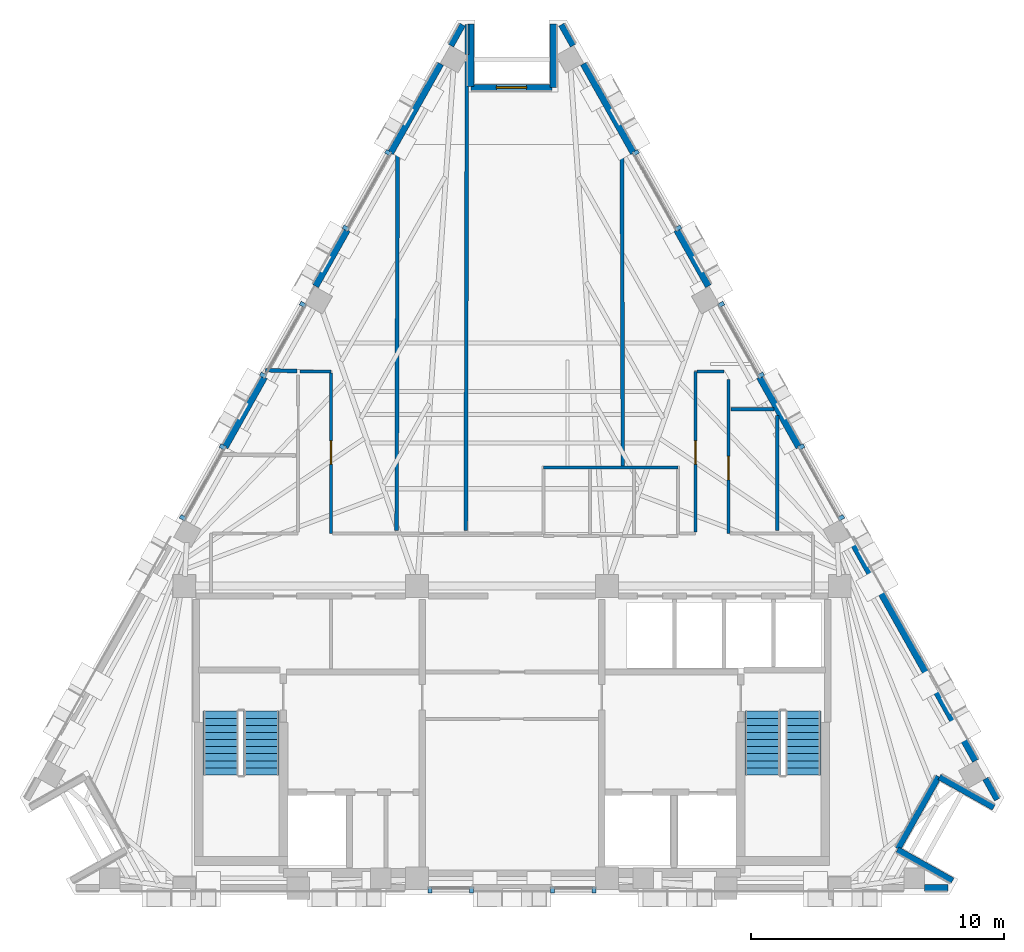
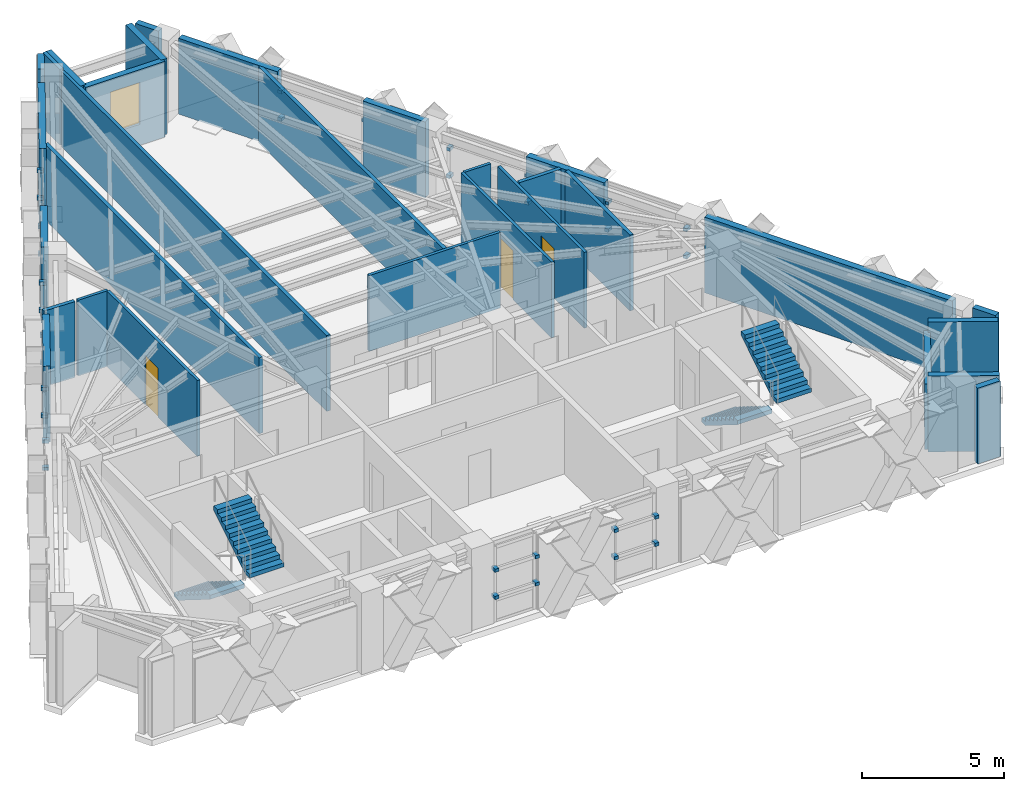
# One storey, part 8 of 10: 32 discrete accessories, 30 walls, 4 stair flights, 3 doors, 1 window, 4 openings, 2 elements without a shape of their own.
"""IFC4 building model written with IfcOpenShell, lengths in metres."""

import ifcopenshell
import ifcopenshell.guid

model = None  # the IFC model being written
_history = None  # IfcOwnerHistory: only IFC2X3 demands one
_inside = {}  # id of a spatial element -> (the spatial element, [elements in it])
_under = {}  # id of a project, library or spatial element -> (it, [spatial elements below it])
_declared = {}  # id of a project -> (the project, [libraries it declares])
_typed = {}  # id of a type object -> (the type object, [elements of that type])
_made_of = {}  # id of a material, layer set ... -> (it, [elements and type objects made of it])


def new_model(schema):
    """Start an empty IFC model of exactly this schema.

    Asked for "IFC4X3", IfcOpenShell would pick the latest addendum, in which some entities
    have other attributes; the version numbers below select the first issue.
    IFC2X3 requires an IfcOwnerHistory on every rooted entity: one is made here for all.
    """
    global model, _history
    if schema == "IFC4X3":
        model = ifcopenshell.file(schema_version=(4, 3, 0, 0))
    else:
        model = ifcopenshell.file(schema=schema)
    _inside.clear()
    _under.clear()
    _declared.clear()
    _typed.clear()
    _made_of.clear()
    _history = None
    if model.schema == "IFC2X3":
        org = make("IfcOrganization", Name="unknown")
        user = make(
            "IfcPersonAndOrganization",
            ThePerson=make("IfcPerson", FamilyName="unknown"),
            TheOrganization=org,
        )
        app = make(
            "IfcApplication",
            ApplicationDeveloper=org,
            Version="unknown",
            ApplicationFullName="unknown",
            ApplicationIdentifier="unknown",
        )
        _history = make(
            "IfcOwnerHistory",
            OwningUser=user,
            OwningApplication=app,
            ChangeAction="ADDED",
            CreationDate=0,
        )
    return model


def make(cls, **values):
    """One entity of the class cls with the attributes given. An attribute that is None is left unset."""
    return model.create_entity(
        cls, **{name: value for name, value in values.items() if value is not None}
    )


def rooted(cls, **values):
    """An entity with a GlobalId (a new one), such as an element, a storey or a relation."""
    return make(cls, GlobalId=ifcopenshell.guid.new(), OwnerHistory=_history, **values)


def si_unit(unit_type, name, prefix=None):
    """IfcSIUnit, for example si_unit("LENGTHUNIT", "METRE", prefix="MILLI")."""
    return make("IfcSIUnit", UnitType=unit_type, Prefix=prefix, Name=name)


def assignment(units):
    """IfcUnitAssignment: the units of a project."""
    return None if units is None else make("IfcUnitAssignment", Units=units)


def point(xyz):
    """IfcCartesianPoint."""
    return None if xyz is None else make("IfcCartesianPoint", Coordinates=xyz)


def direction(xyz):
    """IfcDirection."""
    return None if xyz is None else make("IfcDirection", DirectionRatios=xyz)


def frame(location, z_axis=None, x_axis=None):
    """IfcAxis2Placement3D, a coordinate frame: its origin and axes. An axis left out is left unset."""
    return make(
        "IfcAxis2Placement3D",
        Location=point(location),
        Axis=direction(z_axis),
        RefDirection=direction(x_axis),
    )


def frame_2d(location, x_axis=None):
    """IfcAxis2Placement2D, a coordinate frame in the plane: its origin and x axis."""
    return make(
        "IfcAxis2Placement2D", Location=point(location), RefDirection=direction(x_axis)
    )


def origin():
    """The frame at (0, 0, 0) with its axes left unset."""
    return frame((0.0, 0.0, 0.0))


def origin_2d():
    """The frame at (0, 0) in the plane with its x axis left unset."""
    return frame_2d((0.0, 0.0))


def place(relative_to, where):
    """IfcLocalPlacement: puts the frame where relative to a parent placement (None: the world)."""
    return make(
        "IfcLocalPlacement", PlacementRelTo=relative_to, RelativePlacement=where
    )


def context(
    kind, dimensions, precision=None, world=None, true_north=None, identifier=None
):
    """IfcGeometricRepresentationContext, for example the 3D "Model" context."""
    return make(
        "IfcGeometricRepresentationContext",
        ContextIdentifier=identifier,
        ContextType=kind,
        CoordinateSpaceDimension=dimensions,
        Precision=precision,
        WorldCoordinateSystem=world,
        TrueNorth=true_north,
    )


def subcontext(parent, identifier, kind, view, scale=None):
    """IfcGeometricRepresentationSubContext, for example "Body" below "Model"."""
    return make(
        "IfcGeometricRepresentationSubContext",
        ContextIdentifier=identifier,
        ContextType=kind,
        ParentContext=parent,
        TargetScale=scale,
        TargetView=view,
    )


def project(units=None, contexts=None):
    """IfcProject with its units and contexts."""
    return rooted(
        "IfcProject",
        Name="project",
        RepresentationContexts=contexts,
        UnitsInContext=assignment(units),
    )


def spatial(cls, under=None, at=None, **own):
    """A site, building, storey or space (cls), placed at a placement, below another one or the project."""
    s = rooted(cls, ObjectPlacement=at, **own)
    if under is not None:
        _under.setdefault(under.id(), (under, []))[1].append(s)
    return s


def polyline(points):
    """IfcPolyline through the points."""
    return make("IfcPolyline", Points=[point(p) for p in points])


def profile(cls, at=None, kind="AREA", **sizes):
    """A parametric profile (cls). Its sizes go by their IFC names, for example OverallWidth=200.0."""
    return make(cls, ProfileType=kind, Position=at, **sizes)


def rectangle(**sizes):
    """IfcRectangleProfileDef."""
    return profile("IfcRectangleProfileDef", **sizes)


def outline(outer, holes=None, kind="AREA"):
    """IfcArbitraryClosedProfileDef: a profile drawn as a closed curve; with holes, ...WithVoids."""
    if holes is None:
        return make("IfcArbitraryClosedProfileDef", ProfileType=kind, OuterCurve=outer)
    return make(
        "IfcArbitraryProfileDefWithVoids",
        ProfileType=kind,
        OuterCurve=outer,
        InnerCurves=holes,
    )


def extrude(swept, where, along, depth):
    """IfcExtrudedAreaSolid: the profile swept, set in the frame where, extruded along a direction by depth."""
    return make(
        "IfcExtrudedAreaSolid",
        SweptArea=swept,
        Position=where,
        ExtrudedDirection=direction(along),
        Depth=depth,
    )


def shape(context_of_items, identifier, shape_type, items):
    """IfcShapeRepresentation: the items that make up one representation, for example the "Body"."""
    return make(
        "IfcShapeRepresentation",
        ContextOfItems=context_of_items,
        RepresentationIdentifier=identifier,
        RepresentationType=shape_type,
        Items=items,
    )


def material(Name=None, Category=None):
    """IfcMaterial."""
    return make("IfcMaterial", Name=Name, Category=Category)


def layer(
    of_material, thickness, ventilated=None, Name=None, Category=None, Priority=None
):
    """IfcMaterialLayer: one layer of a wall or slab, of a material (None: an air gap)."""
    return make(
        "IfcMaterialLayer",
        Material=of_material,
        LayerThickness=thickness,
        IsVentilated=ventilated,
        Name=Name,
        Category=Category,
        Priority=Priority,
    )


def layer_set(layers, Name=None):
    """IfcMaterialLayerSet."""
    return make("IfcMaterialLayerSet", MaterialLayers=layers, LayerSetName=Name)


def made_of(thing, what):
    """Note that an element or type object is made of a material, layer set ...; save() writes the relation."""
    if what is not None:
        _made_of.setdefault(what.id(), (what, []))[1].append(thing)
    return thing


def type_object(cls, material=None, **own):
    """A type object (cls), such as IfcWallType, which elements share."""
    return made_of(rooted(cls, **own), material)


def element(
    cls,
    number,
    at=None,
    inside=None,
    cuts=None,
    type_object=None,
    material=None,
    context=None,
    identifier="Body",
    shape_type=None,
    held_by="IfcProductDefinitionShape",
    body=None,
    shapes=None,
    **own,
):
    """One element of the class cls, such as IfcWall. Its Tag is "e" and its number.

    at: its placement. inside: the storey or other place that contains it. cuts: it is an
    opening in that element (IfcRelVoidsElement). A single representation is given by context,
    identifier, shape_type and body (its items); several are given by shapes. held_by: the class
    of the entity that holds the representations. save() writes the other relations.
    """
    e = rooted(cls, Tag="e%d" % number, ObjectPlacement=at, **own)
    if body is not None:
        shapes = [shape(context, identifier, shape_type, body)]
    if shapes is not None:
        e.Representation = make(held_by, Representations=shapes)
    if inside is not None:
        _inside.setdefault(inside.id(), (inside, []))[1].append(e)
    if cuts is not None:
        rooted(
            "IfcRelVoidsElement", RelatingBuildingElement=cuts, RelatedOpeningElement=e
        )
    if type_object is not None:
        _typed.setdefault(type_object.id(), (type_object, []))[1].append(e)
    return made_of(e, material)


def fill(opening, filler):
    """IfcRelFillsElement: the door or window that sits in an opening."""
    return rooted(
        "IfcRelFillsElement",
        RelatingOpeningElement=opening,
        RelatedBuildingElement=filler,
    )


def aggregate(whole, parts):
    """IfcRelAggregates: a whole, such as a stair, and the parts it consists of."""
    return rooted("IfcRelAggregates", RelatingObject=whole, RelatedObjects=parts)


def save(model, path):
    """Write the relations noted so far, then the file.

    IfcRelAggregates (storeys below a building ...), IfcRelContainedInSpatialStructure (elements
    in a storey), IfcRelDefinesByType, IfcRelAssociatesMaterial and IfcRelDeclares: one each for
    every whole, place, type object, material and project.
    """
    for whole, parts in _under.values():
        aggregate(whole, parts)
    for where, things in _inside.values():
        rooted(
            "IfcRelContainedInSpatialStructure",
            RelatedElements=things,
            RelatingStructure=where,
        )
    for kind, things in _typed.values():
        rooted("IfcRelDefinesByType", RelatedObjects=things, RelatingType=kind)
    for what, things in _made_of.values():
        rooted("IfcRelAssociatesMaterial", RelatedObjects=things, RelatingMaterial=what)
    for by, libraries in _declared.values():
        rooted("IfcRelDeclares", RelatingContext=by, RelatedDefinitions=libraries)
    model.write(path)


model = new_model("IFC4")

# Units and contexts
model_context = context("Model", 3, precision=1e-05, world=origin(), true_north=direction((0.0, 1.0)))
body_context = subcontext(model_context, "Body", "Model", "MODEL_VIEW")
ifc_project = project(units=[si_unit("LENGTHUNIT", "METRE"), si_unit("AREAUNIT", "SQUARE_METRE"), si_unit("VOLUMEUNIT", "CUBIC_METRE"), si_unit("PLANEANGLEUNIT", "RADIAN"), si_unit("MASSUNIT", "GRAM", prefix="KILO")], contexts=[model_context])

# Site, building, storey
site_placement = place(None, origin())
site = spatial("IfcSite", under=ifc_project, at=site_placement, CompositionType="ELEMENT")
building_placement = place(site_placement, origin())
building = spatial("IfcBuilding", under=site, at=building_placement, Name="Quenlor Broadcast Tower", CompositionType="ELEMENT")
storey_placement = place(building_placement, frame((0.0, 0.0, 232.39990234375)))
storey = spatial("IfcBuildingStorey", under=building, at=storey_placement, Name="L64", CompositionType="ELEMENT", Elevation=232.39990234375)

# Walls
ifc_material_1 = material(Name="Acoustic Double Stud Gypsum Partition", Category="other")
ifc_layer_1 = layer(ifc_material_1, 0.14990234375)
ifc_layer_set_1 = layer_set([ifc_layer_1], Name="Broadcast Studio Acoustic Partition 150")
wall_type_1 = type_object("IfcWallType", Name="Broadcast Studio Acoustic Partition 150", PredefinedType="PARTITIONING", material=ifc_layer_set_1)
wall_1_placement = place(storey_placement, frame((-1.82421875, -2.6201171875, 0.0), z_axis=(0.0, 0.0, 1.0), x_axis=(0.002270852764, 0.999997421611, 0.0)))
element("IfcWall", 1, at=wall_1_placement, inside=storey, type_object=wall_type_1, Name="L64 Interior Wall PW-DV-01", PredefinedType="PARTITIONING", context=body_context, shape_type="SweptSolid", body=[
    extrude(rectangle(XDim=18.706787109375, YDim=0.14990234375, at=frame_2d((9.353515625, 0.0))), origin(), (0.0, 0.0, 1.0), 3.25),
])
wall_2_placement = place(storey_placement, frame((-1.781494140625, 16.190673828125, 0.0), z_axis=(0.0, 0.0, 1.0), x_axis=(0.002239408066, 0.999997492523, 0.0)))
element("IfcWall", 2, at=wall_2_placement, inside=storey, type_object=wall_type_1, Name="L64 Interior Wall PW-DV-01S2", PredefinedType="PARTITIONING", context=body_context, shape_type="SweptSolid", body=[
    extrude(rectangle(XDim=1.19921875, YDim=0.14990234375, at=frame_2d((0.599609375, 0.0))), origin(), (0.0, 0.0, 1.0), 3.25),
])
wall_3_placement = place(storey_placement, frame((4.3408203125, 12.852783203125, 0.0), z_axis=(0.0, 0.0, 1.0), x_axis=(0.003025533114, -0.999995423064, 0.0)))
element("IfcWall", 3, at=wall_3_placement, inside=storey, type_object=wall_type_1, Name="L64 Interior Wall PW-DV-02", PredefinedType="PARTITIONING", context=body_context, shape_type="SweptSolid", body=[
    extrude(rectangle(XDim=12.910888671875, YDim=0.14990234375, at=frame_2d((6.45556640625, 0.0))), origin(), (0.0, 0.0, 1.0), 3.25),
])
wall_4_placement = place(storey_placement, frame((-4.5595703125, -2.6201171875, 0.0), z_axis=(0.0, 0.0, 1.0), x_axis=(0.002561739383, 0.99999671874, 0.0)))
element("IfcWall", 4, at=wall_4_placement, inside=storey, type_object=wall_type_1, Name="L64 Interior Wall PW-DV-03", PredefinedType="PARTITIONING", context=body_context, shape_type="SweptSolid", body=[
    extrude(rectangle(XDim=15.153076171875, YDim=0.14990234375, at=frame_2d((7.57666015625, 0.0))), origin(), (0.0, 0.0, 1.0), 3.25),
])
wall_5_placement = place(storey_placement, frame((10.34423828125, 2.179931640625, 0.0), z_axis=(0.0, 0.0, 1.0), x_axis=(-1.0, 0.0, 0.0)))
element("IfcWall", 5, at=wall_5_placement, inside=storey, type_object=wall_type_1, Name="L64 Interior Wall PW-DV-04", PredefinedType="PARTITIONING", context=body_context, shape_type="SweptSolid", body=[
    extrude(rectangle(XDim=1.684326171875, YDim=0.14990234375, at=frame_2d((0.84228515625, 0.0))), origin(), (0.0, 0.0, 1.0), 3.25),
])
wall_6_placement = place(storey_placement, frame((-8.495849609375, 3.685302734375, 0.0), z_axis=(0.0, 0.0, 1.0), x_axis=(-0.999543856553, 0.030200642839, 0.0)))
element("IfcWall", 6, at=wall_6_placement, inside=storey, type_object=wall_type_1, Name="L64 Interior Wall PW-DV-05", PredefinedType="PARTITIONING", context=body_context, shape_type="SweptSolid", body=[
    extrude(rectangle(XDim=1.2529296875, YDim=0.14990234375, at=frame_2d((0.62646484375, 0.0))), origin(), (0.0, 0.0, 1.0), 3.25),
])
wall_7_placement = place(storey_placement, frame((10.47998046875, 1.938720703125, 0.0), z_axis=(0.0, 0.0, 1.0), x_axis=(0.0, -1.0, 0.0)))
element("IfcWall", 7, at=wall_7_placement, inside=storey, type_object=wall_type_1, Name="L64 Interior Wall PW-DV-07", PredefinedType="PARTITIONING", context=body_context, shape_type="SweptSolid", body=[
    extrude(rectangle(XDim=4.558837890625, YDim=0.14990234375, at=frame_2d((2.279296875, 0.0))), origin(), (0.0, 0.0, 1.0), 3.25),
])
ifc_material_2 = material(Name="Gypsum Plasterboard Partition", Category="other")
ifc_layer_2 = layer(ifc_material_2, 0.1201171875)
ifc_layer_set_2 = layer_set([ifc_layer_2], Name="Standard Office Partition 120")
wall_type_2 = type_object("IfcWallType", Name="Standard Office Partition 120", PredefinedType="PARTITIONING", material=ifc_layer_set_2)
wall_8_placement = place(storey_placement, frame((1.239990234375, -0.1201171875, 0.0), z_axis=(0.0, 0.0, 1.0), x_axis=(1.0, 0.0, 0.0)))
element("IfcWall", 8, at=wall_8_placement, inside=storey, type_object=wall_type_2, Name="L64 Interior Wall PW-WC-N", PredefinedType="PARTITIONING", context=body_context, shape_type="SweptSolid", body=[
    extrude(rectangle(XDim=5.320068359375, YDim=0.1201171875, at=frame_2d((2.66015625, 0.0))), origin(), (0.0, 0.0, 1.0), 3.25),
])
wall_9_placement = place(storey_placement, frame((-8.372802734375, 3.679931640625, 0.0), z_axis=(0.0, 0.0, 1.0), x_axis=(1.0, 0.0, 0.0)))
element("IfcWall", 9, at=wall_9_placement, inside=storey, type_object=wall_type_2, Name="L64 Interior Wall PW-CR-04", PredefinedType="PARTITIONING", context=body_context, shape_type="SweptSolid", body=[
    extrude(rectangle(XDim=1.222900390625, YDim=0.1201171875, at=frame_2d((0.611328125, 0.0))), origin(), (0.0, 0.0, 1.0), 3.25),
])

# Wall, opening, door
wall_10_placement = place(storey_placement, frame((-7.14990234375, 3.617919921875, 0.0), z_axis=(0.0, 0.0, 1.0), x_axis=(0.0, -1.0, 0.0)))
wall_10 = element("IfcWall", 10, at=wall_10_placement, inside=storey, type_object=wall_type_2, Name="L64 Interior Wall PW-CR-05", PredefinedType="PARTITIONING", context=body_context, shape_type="SweptSolid", body=[
    extrude(rectangle(XDim=6.347900390625, YDim=0.1201171875, at=frame_2d((3.173828125, 0.0))), origin(), (0.0, 0.0, 1.0), 3.25),
])
opening_1_placement = place(wall_10_placement, frame((2.68310546875, 0.0, 0.0)))
opening_1 = element("IfcOpeningElement", 11, at=opening_1_placement, cuts=wall_10, Name="Opening ID-1", PredefinedType="OPENING", context=body_context, shape_type="SweptSolid", body=[
    extrude(rectangle(XDim=0.919921875, YDim=2.1201171875, at=frame_2d((0.4599609375, 1.06005859375))), frame((0.0, 0.070068359375, 0.0), z_axis=(0.0, -1.0, 0.0), x_axis=(1.0, 0.0, 0.0)), (0.0, 0.0, 1.0), 0.14013671875),
])
ifc_material_3 = material(Name="Solid Core Timber Oak", Category="wood")
door_type = type_object("IfcDoorType", Name="Single Leaf Timber Office Door 920x2120", OperationType="NOTDEFINED", PredefinedType="DOOR", material=ifc_material_3)
door_1_placement = place(opening_1_placement, origin())
door_1 = element("IfcDoor", 12, at=door_1_placement, inside=storey, type_object=door_type, Name="L64 Door DR-RM04", OperationType="SINGLE_SWING_RIGHT", OverallHeight=2.1201171875, OverallWidth=0.919921875, PredefinedType="DOOR", context=body_context, shape_type="SweptSolid", body=[
    extrude(rectangle(XDim=0.919921875, YDim=2.1201171875, at=frame_2d((0.4599609375, 1.06005859375))), frame((0.0, 0.02490234375, 0.0), z_axis=(0.0, -1.0, 0.0), x_axis=(1.0, 0.0, 0.0)), (0.0, 0.0, 1.0), 0.050048828125),
])
fill(opening_1, door_1)

wall_11_placement = place(storey_placement, frame((7.25, -2.66796875, 0.0), z_axis=(0.0, 0.0, 1.0), x_axis=(0.0, 1.0, 0.0)))
wall_11 = element("IfcWall", 13, at=wall_11_placement, inside=storey, type_object=wall_type_2, Name="L64 Interior Wall PW-CR-09", PredefinedType="PARTITIONING", context=body_context, shape_type="SweptSolid", body=[
    extrude(rectangle(XDim=6.347900390625, YDim=0.1201171875, at=frame_2d((3.173828125, 0.0))), origin(), (0.0, 0.0, 1.0), 3.25),
])
opening_2_placement = place(wall_11_placement, frame((2.68310546875, 0.0, 0.0)))
opening_2 = element("IfcOpeningElement", 14, at=opening_2_placement, cuts=wall_11, Name="Opening ID-1", PredefinedType="OPENING", context=body_context, shape_type="SweptSolid", body=[
    extrude(rectangle(XDim=0.919921875, YDim=2.1201171875, at=frame_2d((0.4599609375, 1.06005859375))), frame((0.0, 0.070068359375, 0.0), z_axis=(0.0, -1.0, 0.0), x_axis=(1.0, 0.0, 0.0)), (0.0, 0.0, 1.0), 0.14013671875),
])
door_2_placement = place(opening_2_placement, origin())
door_2 = element("IfcDoor", 15, at=door_2_placement, inside=storey, type_object=door_type, Name="L64 Door DR-RM03", OperationType="SINGLE_SWING_LEFT", OverallHeight=2.1201171875, OverallWidth=0.919921875, PredefinedType="DOOR", context=body_context, shape_type="SweptSolid", body=[
    extrude(rectangle(XDim=0.919921875, YDim=2.1201171875, at=frame_2d((0.4599609375, 1.06005859375))), frame((0.0, 0.02490234375, 0.0), z_axis=(0.0, -1.0, 0.0), x_axis=(1.0, 0.0, 0.0)), (0.0, 0.0, 1.0), 0.050048828125),
])
fill(opening_2, door_2)

# Wall
wall_12_placement = place(storey_placement, frame((7.31201171875, 3.679931640625, 0.0), z_axis=(0.0, 0.0, 1.0), x_axis=(1.0, 0.0, 0.0)))
element("IfcWall", 16, at=wall_12_placement, inside=storey, type_object=wall_type_2, Name="L64 Interior Wall PW-CR-10", PredefinedType="PARTITIONING", context=body_context, shape_type="SweptSolid", body=[
    extrude(rectangle(XDim=1.060791015625, YDim=0.1201171875, at=frame_2d((0.5302734375, 0.0))), origin(), (0.0, 0.0, 1.0), 3.25),
])

# Wall, opening, door
wall_13_placement = place(storey_placement, frame((8.550048828125, 3.36474609375, 0.0), z_axis=(0.0, 0.0, 1.0), x_axis=(0.0, -1.0, 0.0)))
wall_13 = element("IfcWall", 17, at=wall_13_placement, inside=storey, type_object=wall_type_2, Name="L64 Interior Wall PW-CR-12", PredefinedType="PARTITIONING", context=body_context, shape_type="SweptSolid", body=[
    extrude(rectangle(XDim=6.0947265625, YDim=0.1201171875, at=frame_2d((3.04736328125, 0.0))), origin(), (0.0, 0.0, 1.0), 3.25),
])
opening_3_placement = place(wall_13_placement, frame((3.051025390625, 0.0, 0.0)))
opening_3 = element("IfcOpeningElement", 18, at=opening_3_placement, cuts=wall_13, Name="Opening ID-1", PredefinedType="OPENING", context=body_context, shape_type="SweptSolid", body=[
    extrude(rectangle(XDim=0.919921875, YDim=2.1201171875, at=frame_2d((0.4599609375, 1.06005859375))), frame((0.0, 0.070068359375, 0.0), z_axis=(0.0, -1.0, 0.0), x_axis=(1.0, 0.0, 0.0)), (0.0, 0.0, 1.0), 0.14013671875),
])
door_3_placement = place(opening_3_placement, origin())
door_3 = element("IfcDoor", 19, at=door_3_placement, inside=storey, type_object=door_type, Name="L64 Door DR-RM06", OperationType="SINGLE_SWING_RIGHT", OverallHeight=2.1201171875, OverallWidth=0.919921875, PredefinedType="DOOR", context=body_context, shape_type="SweptSolid", body=[
    extrude(rectangle(XDim=0.919921875, YDim=2.1201171875, at=frame_2d((0.4599609375, 1.06005859375))), frame((0.0, 0.02490234375, 0.0), z_axis=(0.0, -1.0, 0.0), x_axis=(1.0, 0.0, 0.0)), (0.0, 0.0, 1.0), 0.050048828125),
])
fill(opening_3, door_3)

# Walls
ifc_material_4 = material(Name="Precast concrete C40/50", Category="concrete")
ifc_layer_3 = layer(ifc_material_4, 0.239990234375)
ifc_layer_set_3 = layer_set([ifc_layer_3], Name="Terrace Threshold Precast Concrete C40/50 Wall 240")
wall_type_3 = type_object("IfcWallType", Name="Terrace Threshold Precast Concrete C40/50 Wall 240", PredefinedType="STANDARD", material=ifc_layer_set_3)
wall_14_placement = place(storey_placement, frame((17.219970703125, -16.72509765625, 0.0), z_axis=(0.0, 0.0, 1.0), x_axis=(-1.0, 0.0, 0.0)))
element("IfcWall", 20, at=wall_14_placement, inside=storey, type_object=wall_type_3, Name="L64 Exterior Wall L64-SHD-SS0", PredefinedType="STANDARD", context=body_context, shape_type="SweptSolid", body=[
    extrude(rectangle(XDim=0.91748046875, YDim=0.239990234375, at=frame_2d((0.458740234375, 0.0))), origin(), (0.0, 0.0, 1.0), 3.25),
])
for number, where, z_axis, x_axis, name in (
    (21, (1.94970703125, 17.372802734375, 0.0), (0.0, 0.0, 1.0), (0.490199895283, -0.871610040479, 0.0), "L64 Exterior Wall L64-SHD-NES0"),
    (22, (18.707763671875, -12.4189453125, 0.0), (0.0, 0.0, 1.0), (0.490199895283, -0.871610040479, 0.0), "L64 Exterior Wall L64-SHD-NES1"),
    (23, (-2.412841796875, 16.54931640625, 0.0), (0.0, 0.0, 1.0), (0.490199895283, 0.871610040479, 0.0), "L64 Exterior Wall L64-SHD-NWS1"),
):
    element("IfcWall", number, at=place(storey_placement, frame(where, z_axis=z_axis, x_axis=x_axis)), inside=storey, type_object=wall_type_3, Name=name, PredefinedType="STANDARD", context=body_context, shape_type="SweptSolid", body=[
        extrude(rectangle(XDim=0.94482421875, YDim=0.239990234375, at=frame_2d((0.472412109375, 0.0))), origin(), (0.0, 0.0, 1.0), 3.25),
    ])
wall_15_placement = place(storey_placement, frame((17.40771484375, -16.446533203125, 0.0), z_axis=(0.0, 0.0, 1.0), x_axis=(-0.871588577066, 0.490238056792, 0.0)))
element("IfcWall", 24, at=wall_15_placement, inside=storey, type_object=wall_type_3, Name="L64 Exterior Wall L64-CNR-01", PredefinedType="STANDARD", context=body_context, shape_type="SweptSolid", body=[
    extrude(rectangle(XDim=2.5, YDim=0.239990234375, at=frame_2d((1.25, 0.0))), origin(), (0.0, 0.0, 1.0), 3.25),
])
wall_16_placement = place(storey_placement, frame((15.248291015625, -15.18603515625, 0.0), z_axis=(0.0, 0.0, 1.0), x_axis=(0.490293083368, 0.871557624258, 0.0)))
element("IfcWall", 25, at=wall_16_placement, inside=storey, type_object=wall_type_3, Name="L64 Exterior Wall L64-CNR-02", PredefinedType="STANDARD", context=body_context, shape_type="SweptSolid", body=[
    extrude(rectangle(XDim=3.276123046875, YDim=0.239990234375, at=frame_2d((1.63818359375, 0.0))), origin(), (0.0, 0.0, 1.0), 2.789794921875),
])
wall_17_placement = place(storey_placement, frame((16.889404296875, -12.350341796875, 0.0), z_axis=(0.0, 0.0, 1.0), x_axis=(0.87157023615, -0.490270663468, 0.0)))
element("IfcWall", 26, at=wall_17_placement, inside=storey, type_object=wall_type_3, Name="L64 Exterior Wall L64-CNR-03", PredefinedType="STANDARD", context=body_context, shape_type="SweptSolid", body=[
    extrude(rectangle(XDim=2.4599609375, YDim=0.239990234375, at=frame_2d((1.22998046875, 0.0))), origin(), (0.0, 0.0, 1.0), 3.25),
])
wall_18_placement = place(storey_placement, frame((1.62890625, 17.39990234375, 0.0), z_axis=(0.0, 0.0, 1.0), x_axis=(0.0, -1.0, 0.0)))
element("IfcWall", 27, at=wall_18_placement, inside=storey, type_object=wall_type_3, Name="L64 Exterior Wall L64-CNR-07", PredefinedType="STANDARD", context=body_context, shape_type="SweptSolid", body=[
    extrude(rectangle(XDim=2.5, YDim=0.239990234375, at=frame_2d((1.25, 0.0))), origin(), (0.0, 0.0, 1.0), 3.25),
])

# Wall, opening, window
wall_19_placement = place(storey_placement, frame((1.5888671875, 14.89990234375, 0.0), z_axis=(0.0, 0.0, 1.0), x_axis=(-1.0, 0.0, 0.0)))
wall_19 = element("IfcWall", 28, at=wall_19_placement, inside=storey, type_object=wall_type_3, Name="L64 Exterior Wall L64-CNR-08", PredefinedType="STANDARD", context=body_context, shape_type="SweptSolid", body=[
    extrude(rectangle(XDim=3.2177734375, YDim=0.239990234375, at=frame_2d((1.60888671875, 0.0))), origin(), (0.0, 0.0, 1.0), 3.25),
])
opening_4_placement = place(wall_19_placement, frame((1.009033203125, 0.0, 0.89990234375)))
opening_4 = element("IfcOpeningElement", 29, at=opening_4_placement, cuts=wall_19, Name="Opening WN-5", PredefinedType="OPENING", context=body_context, shape_type="SweptSolid", body=[
    extrude(rectangle(XDim=1.199951171875, YDim=1.800048828125, at=frame_2d((0.60009765625, 0.89990234375))), frame((0.0, 0.1298828125, 0.0), z_axis=(0.0, -1.0, 0.0), x_axis=(1.0, 0.0, 0.0)), (0.0, 0.0, 1.0), 0.260009765625),
])
ifc_material_5 = material(Name="Thermally Broken Aluminium and Low-E Glass", Category="aluminium")
window_type = type_object("IfcWindowType", Name="Corner Chamfer Punched Window 1200x1800", PartitioningType="SINGLE_PANEL", PredefinedType="WINDOW", material=ifc_material_5)
window_placement = place(opening_4_placement, origin())
window = element("IfcWindow", 30, at=window_placement, inside=storey, type_object=window_type, Name="L64 Corner Chamfer Window 8", OverallHeight=1.800048828125, OverallWidth=1.199951171875, PartitioningType="SINGLE_PANEL", PredefinedType="WINDOW", context=body_context, shape_type="SweptSolid", body=[
    extrude(rectangle(XDim=1.199951171875, YDim=1.800048828125, at=frame_2d((0.60009765625, 0.89990234375))), frame((0.0, 0.030029296875, 0.0), z_axis=(0.0, -1.0, 0.0), x_axis=(1.0, 0.0, 0.0)), (0.0, 0.0, 1.0), 0.06005859375),
])
fill(opening_4, window)

# Walls
wall_20_placement = place(storey_placement, frame((-1.62890625, 14.93994140625, 0.0), z_axis=(0.0, 0.0, 1.0), x_axis=(0.0, 1.0, 0.0)))
element("IfcWall", 31, at=wall_20_placement, inside=storey, type_object=wall_type_3, Name="L64 Exterior Wall L64-CNR-09", PredefinedType="STANDARD", context=body_context, shape_type="SweptSolid", body=[
    extrude(rectangle(XDim=2.4599609375, YDim=0.239990234375, at=frame_2d((1.22998046875, 0.0))), origin(), (0.0, 0.0, 1.0), 3.25),
])
ifc_material_6 = material(Name="Precast concrete C40/50", Category="concrete")
ifc_layer_4 = layer(ifc_material_6, 0.260009765625)
ifc_layer_set_4 = layer_set([ifc_layer_4], Name="Terracotta Precast Concrete C40/50 Upper Wall 260")
wall_type_4 = type_object("IfcWallType", Name="Terracotta Precast Concrete C40/50 Upper Wall 260", PredefinedType="STANDARD", material=ifc_layer_set_4)
wall_21_placement = place(storey_placement, frame((2.81982421875, 15.825927734375, 0.0), z_axis=(0.0, 0.0, 1.0), x_axis=(0.490307113915, -0.871549731251, 0.0)))
element("IfcWall", 32, at=wall_21_placement, inside=storey, type_object=wall_type_4, Name="L64 Exterior Wall L64-NEA-SP1", PredefinedType="STANDARD", context=body_context, shape_type="SweptSolid", body=[
    extrude(rectangle(XDim=4.042724609375, YDim=0.260009765625, at=frame_2d((2.021484375, 0.0))), origin(), (0.0, 0.0, 1.0), 3.25),
])
wall_22_placement = place(storey_placement, frame((6.509521484375, 9.266357421875, 0.0), z_axis=(0.0, 0.0, 1.0), x_axis=(0.490333959365, -0.871534628281, 0.0)))
element("IfcWall", 33, at=wall_22_placement, inside=storey, type_object=wall_type_4, Name="L64 Exterior Wall L64-NEA-SP2", PredefinedType="STANDARD", context=body_context, shape_type="SweptSolid", body=[
    extrude(rectangle(XDim=2.55029296875, YDim=0.260009765625, at=frame_2d((1.275146484375, 0.0))), origin(), (0.0, 0.0, 1.0), 3.25),
])
wall_23_placement = place(storey_placement, frame((13.350830078125, -2.895751953125, 0.0), z_axis=(0.0, 0.0, 1.0), x_axis=(0.490266968583, -0.871572314565, 0.0)))
element("IfcWall", 34, at=wall_23_placement, inside=storey, type_object=wall_type_4, Name="L64 Exterior Wall L64-EW-NEC", PredefinedType="STANDARD", context=body_context, shape_type="SweptSolid", body=[
    extrude(rectangle(XDim=10.116455078125, YDim=0.260009765625, at=frame_2d((5.05810546875, 0.0))), origin(), (0.0, 0.0, 1.0), 3.25),
])
wall_24_placement = place(storey_placement, frame((9.779296875, 3.45361328125, 0.0), z_axis=(0.0, 0.0, 1.0), x_axis=(0.490268515903, -0.871571444182, 0.0)))
element("IfcWall", 35, at=wall_24_placement, inside=storey, type_object=wall_type_4, Name="L64 Exterior Wall L64-NE-SP1", PredefinedType="STANDARD", context=body_context, shape_type="SweptSolid", body=[
    extrude(rectangle(XDim=3.18603515625, YDim=0.260009765625, at=frame_2d((1.593017578125, 0.0))), origin(), (0.0, 0.0, 1.0), 3.25),
])
wall_25_placement = place(storey_placement, frame((-7.760009765625, 7.043701171875, 0.0), z_axis=(0.0, 0.0, 1.0), x_axis=(0.490333959365, 0.871534628281, 0.0)))
element("IfcWall", 36, at=wall_25_placement, inside=storey, type_object=wall_type_4, Name="L64 Exterior Wall L64-NWC-SP1", PredefinedType="STANDARD", context=body_context, shape_type="SweptSolid", body=[
    extrude(rectangle(XDim=2.55029296875, YDim=0.260009765625, at=frame_2d((1.275146484375, 0.0))), origin(), (0.0, 0.0, 1.0), 3.25),
])
wall_26_placement = place(storey_placement, frame((-4.802001953125, 12.302490234375, 0.0), z_axis=(0.0, 0.0, 1.0), x_axis=(0.490307113915, 0.871549731251, 0.0)))
element("IfcWall", 37, at=wall_26_placement, inside=storey, type_object=wall_type_4, Name="L64 Exterior Wall L64-NWC-SP2", PredefinedType="STANDARD", context=body_context, shape_type="SweptSolid", body=[
    extrude(rectangle(XDim=4.042724609375, YDim=0.260009765625, at=frame_2d((2.021484375, 0.0))), origin(), (0.0, 0.0, 1.0), 3.25),
])
wall_27_placement = place(storey_placement, frame((-11.34130859375, 0.6767578125, 0.0), z_axis=(0.0, 0.0, 1.0), x_axis=(0.490268515903, 0.871571444182, 0.0)))
element("IfcWall", 38, at=wall_27_placement, inside=storey, type_object=wall_type_4, Name="L64 Exterior Wall L64-NW-SP1", PredefinedType="STANDARD", context=body_context, shape_type="SweptSolid", body=[
    extrude(rectangle(XDim=3.18603515625, YDim=0.260009765625, at=frame_2d((1.593017578125, 0.0))), origin(), (0.0, 0.0, 1.0), 3.25),
])

# Stair, stair flights
ifc_material_7 = material(Name="Precast concrete C40/50", Category="concrete")
stair_type = type_object("IfcStairType", Name="Precast Concrete C40/50 Dogleg Stair H350", PredefinedType="HALF_TURN_STAIR", material=ifc_material_7)
stair_1_placement = place(storey_placement, origin())
stair_1 = element("IfcStair", 39, at=stair_1_placement, inside=storey, type_object=stair_type, Name="L64 West Core Fire-Isolated Exit Stair ST-1", PredefinedType="HALF_TURN_STAIR")
ifc_material_8 = material(Name="Precast concrete C40/50", Category="concrete")
ifc_layer_5 = layer(ifc_material_8, 0.159912109375)
ifc_layer_set_5 = layer_set([ifc_layer_5], Name="Precast Concrete C40/50 Stair Flight H350")
stair_flight_type = type_object("IfcStairFlightType", Name="Precast Concrete C40/50 Stair Flight H350", PredefinedType="STRAIGHT", material=ifc_layer_set_5)
stair_flight_1_placement = place(storey_placement, frame((-11.5, -9.75, 0.0), z_axis=(0.0, 0.0, 1.0), x_axis=(0.0, -1.0, 0.0)))
stair_flight_1 = element("IfcStairFlight", 40, at=stair_flight_1_placement, type_object=stair_flight_type, Name="ST-1 flight 1", NumberOfRisers=10, NumberOfTreads=9, PredefinedType="STRAIGHT", RiserHeight=0.175, TreadLength=0.28, context=body_context, shape_type="SweptSolid", body=[
    extrude(outline(polyline([(0.0, 0.0), (0.0, 0.175048828125), (0.280029296875, 0.175048828125), (0.280029296875, 0.35009765625), (0.56005859375, 0.35009765625), (0.56005859375, 0.52490234375), (0.840087890625, 0.52490234375), (0.840087890625, 0.699951171875), (1.1201171875, 0.699951171875), (1.1201171875, 0.875), (1.39990234375, 0.875), (1.39990234375, 1.050048828125), (1.679931640625, 1.050048828125), (1.679931640625, 1.22509765625), (1.9599609375, 1.22509765625), (1.9599609375, 1.39990234375), (2.239990234375, 1.39990234375), (2.239990234375, 1.574951171875), (2.52001953125, 1.574951171875), (2.52001953125, 1.75), (2.52001953125, 1.398193359375), (0.28271484375, 0.0), (0.0, 0.0)])), frame((0.0, 0.699951171875, 0.0), z_axis=(0.0, -1.0, 0.0), x_axis=(1.0, 0.0, 0.0)), (0.0, 0.0, 1.0), 1.39990234375),
])
stair_flight_2_placement = place(storey_placement, frame((-9.89990234375, -12.27001953125, 1.75), z_axis=(0.0, 0.0, 1.0), x_axis=(0.0, 1.0, 0.0)))
stair_flight_2 = element("IfcStairFlight", 41, at=stair_flight_2_placement, type_object=stair_flight_type, Name="ST-1 flight 2", NumberOfRisers=10, NumberOfTreads=9, PredefinedType="STRAIGHT", RiserHeight=0.175, TreadLength=0.28, context=body_context, shape_type="SweptSolid", body=[
    extrude(outline(polyline([(0.0, 0.0), (0.0, 0.175048828125), (0.280029296875, 0.175048828125), (0.280029296875, 0.35009765625), (0.56005859375, 0.35009765625), (0.56005859375, 0.52490234375), (0.840087890625, 0.52490234375), (0.840087890625, 0.699951171875), (1.1201171875, 0.699951171875), (1.1201171875, 0.875), (1.39990234375, 0.875), (1.39990234375, 1.050048828125), (1.679931640625, 1.050048828125), (1.679931640625, 1.22509765625), (1.9599609375, 1.22509765625), (1.9599609375, 1.39990234375), (2.239990234375, 1.39990234375), (2.239990234375, 1.574951171875), (2.52001953125, 1.574951171875), (2.52001953125, 1.75), (2.52001953125, 1.398193359375), (0.28271484375, 0.0), (0.0, 0.0)])), frame((0.0, 0.699951171875, 0.0), z_axis=(0.0, -1.0, 0.0), x_axis=(1.0, 0.0, 0.0)), (0.0, 0.0, 1.0), 1.39990234375),
])
aggregate(stair_1, [stair_flight_1, stair_flight_2])

stair_2_placement = place(storey_placement, origin())
stair_2 = element("IfcStair", 42, at=stair_2_placement, inside=storey, type_object=stair_type, Name="L64 East Core Fire-Isolated Exit Stair ST-2", PredefinedType="HALF_TURN_STAIR")
stair_flight_3_placement = place(storey_placement, frame((9.89990234375, -9.75, 0.0), z_axis=(0.0, 0.0, 1.0), x_axis=(0.0, -1.0, 0.0)))
stair_flight_3 = element("IfcStairFlight", 43, at=stair_flight_3_placement, type_object=stair_flight_type, Name="ST-2 flight 1", NumberOfRisers=10, NumberOfTreads=9, PredefinedType="STRAIGHT", RiserHeight=0.175, TreadLength=0.28, context=body_context, shape_type="SweptSolid", body=[
    extrude(outline(polyline([(0.0, 0.0), (0.0, 0.175048828125), (0.280029296875, 0.175048828125), (0.280029296875, 0.35009765625), (0.56005859375, 0.35009765625), (0.56005859375, 0.52490234375), (0.840087890625, 0.52490234375), (0.840087890625, 0.699951171875), (1.1201171875, 0.699951171875), (1.1201171875, 0.875), (1.39990234375, 0.875), (1.39990234375, 1.050048828125), (1.679931640625, 1.050048828125), (1.679931640625, 1.22509765625), (1.9599609375, 1.22509765625), (1.9599609375, 1.39990234375), (2.239990234375, 1.39990234375), (2.239990234375, 1.574951171875), (2.52001953125, 1.574951171875), (2.52001953125, 1.75), (2.52001953125, 1.398193359375), (0.28271484375, 0.0), (0.0, 0.0)])), frame((0.0, 0.699951171875, 0.0), z_axis=(0.0, -1.0, 0.0), x_axis=(1.0, 0.0, 0.0)), (0.0, 0.0, 1.0), 1.39990234375),
])
stair_flight_4_placement = place(storey_placement, frame((11.5, -12.27001953125, 1.75), z_axis=(0.0, 0.0, 1.0), x_axis=(0.0, 1.0, 0.0)))
stair_flight_4 = element("IfcStairFlight", 44, at=stair_flight_4_placement, type_object=stair_flight_type, Name="ST-2 flight 2", NumberOfRisers=10, NumberOfTreads=9, PredefinedType="STRAIGHT", RiserHeight=0.175, TreadLength=0.28, context=body_context, shape_type="SweptSolid", body=[
    extrude(outline(polyline([(0.0, 0.0), (0.0, 0.175048828125), (0.280029296875, 0.175048828125), (0.280029296875, 0.35009765625), (0.56005859375, 0.35009765625), (0.56005859375, 0.52490234375), (0.840087890625, 0.52490234375), (0.840087890625, 0.699951171875), (1.1201171875, 0.699951171875), (1.1201171875, 0.875), (1.39990234375, 0.875), (1.39990234375, 1.050048828125), (1.679931640625, 1.050048828125), (1.679931640625, 1.22509765625), (1.9599609375, 1.22509765625), (1.9599609375, 1.39990234375), (2.239990234375, 1.39990234375), (2.239990234375, 1.574951171875), (2.52001953125, 1.574951171875), (2.52001953125, 1.75), (2.52001953125, 1.398193359375), (0.28271484375, 0.0), (0.0, 0.0)])), frame((0.0, 0.699951171875, 0.0), z_axis=(0.0, -1.0, 0.0), x_axis=(1.0, 0.0, 0.0)), (0.0, 0.0, 1.0), 1.39990234375),
])
aggregate(stair_2, [stair_flight_3, stair_flight_4])

# Discrete accessories
ifc_material_9 = material(Name="Aluminium 6063-T6", Category="aluminium")
discrete_accessory_type = type_object("IfcDiscreteAccessoryType", Name="Stainless Mullion Baguette Support Bracket", PredefinedType="BRACKET", material=ifc_material_9)
for number, where, z_axis, x_axis, name in (
    (45, (3.24755859375, -16.81005859375, 1.10009765625), (0.0, 0.0, 1.0), (-1.0, 0.0, 0.0), "L64 Baguette Mullion Bracket 1.1"),
    (46, (1.60400390625, -16.81005859375, 1.10009765625), (0.0, 0.0, 1.0), (-1.0, 0.0, 0.0), "L64 Baguette Mullion Bracket 1.2"),
    (47, (3.24755859375, -16.81005859375, 2.27001953125), (0.0, 0.0, 1.0), (-1.0, 0.0, 0.0), "L64 Baguette Mullion Bracket 2.1"),
    (48, (1.60400390625, -16.81005859375, 2.27001953125), (0.0, 0.0, 1.0), (-1.0, 0.0, 0.0), "L64 Baguette Mullion Bracket 2.2"),
    (49, (-1.60400390625, -16.81005859375, 1.10009765625), (0.0, 0.0, 1.0), (-1.0, 0.0, 0.0), "L64 Baguette Mullion Bracket 1.1"),
    (50, (-3.24755859375, -16.81005859375, 1.10009765625), (0.0, 0.0, 1.0), (-1.0, 0.0, 0.0), "L64 Baguette Mullion Bracket 1.2"),
    (51, (-1.60400390625, -16.81005859375, 2.27001953125), (0.0, 0.0, 1.0), (-1.0, 0.0, 0.0), "L64 Baguette Mullion Bracket 2.1"),
    (52, (-3.24755859375, -16.81005859375, 2.27001953125), (0.0, 0.0, 1.0), (-1.0, 0.0, 0.0), "L64 Baguette Mullion Bracket 2.2"),
    (53, (4.891845703125, 12.315673828125, 1.10009765625), (0.0, 0.0, 1.0), (0.490249776801, -0.871581984868, 0.0), "L64 Baguette Mullion Bracket 1.1"),
    (54, (6.56787109375, 9.33642578125, 1.10009765625), (0.0, 0.0, 1.0), (0.490249776801, -0.871581984868, 0.0), "L64 Baguette Mullion Bracket 1.2"),
    (55, (4.891845703125, 12.315673828125, 2.27001953125), (0.0, 0.0, 1.0), (0.490249776801, -0.871581984868, 0.0), "L64 Baguette Mullion Bracket 2.1"),
    (56, (6.56787109375, 9.33642578125, 2.27001953125), (0.0, 0.0, 1.0), (0.490249776801, -0.871581984868, 0.0), "L64 Baguette Mullion Bracket 2.2"),
    (57, (8.26416015625, 6.3203125, 1.10009765625), (0.0, 0.0, 1.0), (0.490261946333, -0.871575139605, 0.0), "L64 Baguette Mullion Bracket 1.1"),
    (58, (9.83740234375, 3.523681640625, 1.10009765625), (0.0, 0.0, 1.0), (0.490261946333, -0.871575139605, 0.0), "L64 Baguette Mullion Bracket 1.2"),
    (59, (8.26416015625, 6.3203125, 2.27001953125), (0.0, 0.0, 1.0), (0.490261946333, -0.871575139605, 0.0), "L64 Baguette Mullion Bracket 2.1"),
    (60, (9.83740234375, 3.523681640625, 2.27001953125), (0.0, 0.0, 1.0), (0.490261946333, -0.871575139605, 0.0), "L64 Baguette Mullion Bracket 2.2"),
    (61, (11.431396484375, 0.690185546875, 1.10009765625), (0.0, 0.0, 1.0), (0.490261946333, -0.871575139605, 0.0), "L64 Baguette Mullion Bracket 1.1"),
    (62, (13.004638671875, -2.106689453125, 1.10009765625), (0.0, 0.0, 1.0), (0.490261946333, -0.871575139605, 0.0), "L64 Baguette Mullion Bracket 1.2"),
    (63, (11.431396484375, 0.690185546875, 2.27001953125), (0.0, 0.0, 1.0), (0.490261946333, -0.871575139605, 0.0), "L64 Baguette Mullion Bracket 2.1"),
    (64, (13.004638671875, -2.106689453125, 2.27001953125), (0.0, 0.0, 1.0), (0.490261946333, -0.871575139605, 0.0), "L64 Baguette Mullion Bracket 2.2"),
    (65, (-6.56787109375, 9.33642578125, 1.10009765625), (0.0, 0.0, 1.0), (0.490249776801, 0.871581984868, 0.0), "L64 Baguette Mullion Bracket 1.1"),
    (66, (-4.891845703125, 12.315673828125, 1.10009765625), (0.0, 0.0, 1.0), (0.490249776801, 0.871581984868, 0.0), "L64 Baguette Mullion Bracket 1.2"),
    (67, (-6.56787109375, 9.33642578125, 2.27001953125), (0.0, 0.0, 1.0), (0.490249776801, 0.871581984868, 0.0), "L64 Baguette Mullion Bracket 2.1"),
    (68, (-4.891845703125, 12.315673828125, 2.27001953125), (0.0, 0.0, 1.0), (0.490249776801, 0.871581984868, 0.0), "L64 Baguette Mullion Bracket 2.2"),
    (69, (-13.004638671875, -2.106689453125, 1.10009765625), (0.0, 0.0, 1.0), (0.490261946333, 0.871575139605, 0.0), "L64 Baguette Mullion Bracket 1.1"),
    (70, (-11.431396484375, 0.690185546875, 1.10009765625), (0.0, 0.0, 1.0), (0.490261946333, 0.871575139605, 0.0), "L64 Baguette Mullion Bracket 1.2"),
    (71, (-13.004638671875, -2.106689453125, 2.27001953125), (0.0, 0.0, 1.0), (0.490261946333, 0.871575139605, 0.0), "L64 Baguette Mullion Bracket 2.1"),
    (72, (-11.431396484375, 0.690185546875, 2.27001953125), (0.0, 0.0, 1.0), (0.490261946333, 0.871575139605, 0.0), "L64 Baguette Mullion Bracket 2.2"),
    (73, (-9.83740234375, 3.523681640625, 1.10009765625), (0.0, 0.0, 1.0), (0.490261946333, 0.871575139605, 0.0), "L64 Baguette Mullion Bracket 1.1"),
    (74, (-8.26416015625, 6.3203125, 1.10009765625), (0.0, 0.0, 1.0), (0.490261946333, 0.871575139605, 0.0), "L64 Baguette Mullion Bracket 1.2"),
    (75, (-9.83740234375, 3.523681640625, 2.27001953125), (0.0, 0.0, 1.0), (0.490261946333, 0.871575139605, 0.0), "L64 Baguette Mullion Bracket 2.1"),
    (76, (-8.26416015625, 6.3203125, 2.27001953125), (0.0, 0.0, 1.0), (0.490261946333, 0.871575139605, 0.0), "L64 Baguette Mullion Bracket 2.2"),
):
    element("IfcDiscreteAccessory", number, at=place(storey_placement, frame(where, z_axis=z_axis, x_axis=x_axis)), inside=storey, type_object=discrete_accessory_type, Name=name, PredefinedType="BRACKET", context=body_context, shape_type="SweptSolid", body=[
        extrude(rectangle(XDim=0.159912109375, YDim=0.239990234375, at=origin_2d()), origin(), (0.0, 0.0, 1.0), 0.139892578125),
    ])

save(model, "model.ifc")
